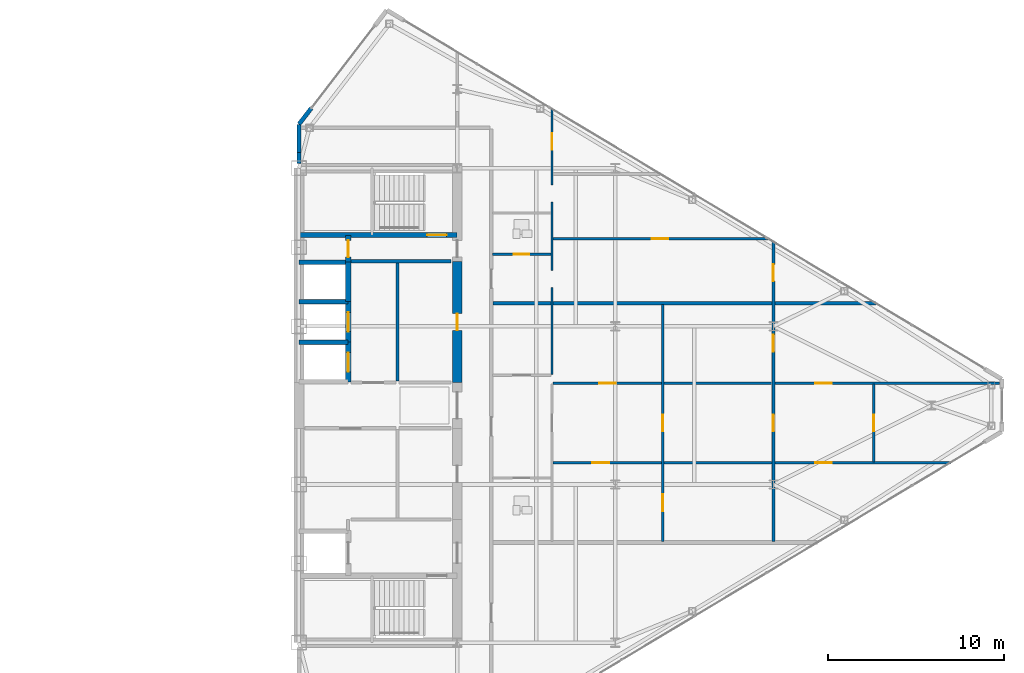
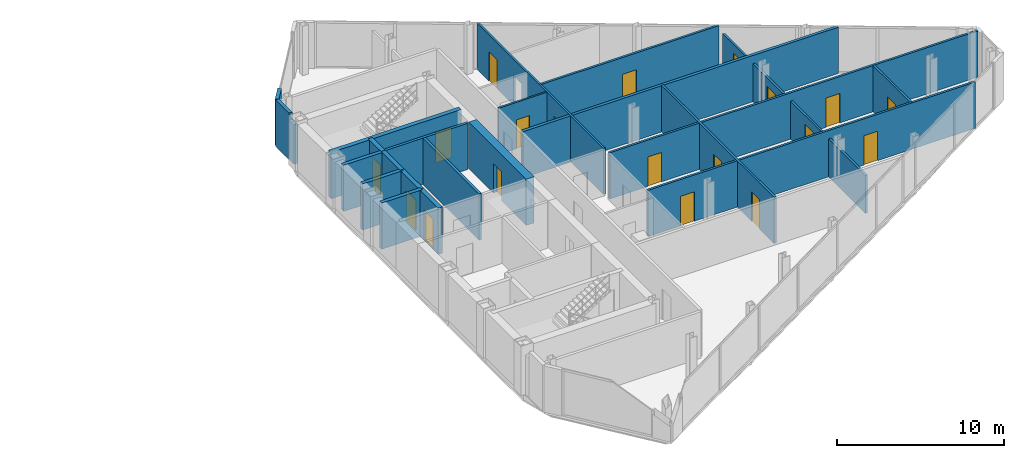
# One storey, part 22 of 26: 23 walls, 18 doors, 20 openings.
"""IFC4 building model written with IfcOpenShell, lengths in metres."""

from ifc_helpers import new_model, si_unit, direction, frame, frame_2d, origin, place, context, subcontext, project, spatial, rectangle, extrude, source, transform, mapped, material, layer, layer_set, type_object, type_shapes, element, fill, save


model = new_model("IFC4")

# Units and contexts
model_context = context("Model", 3, precision=1e-05, world=origin(), true_north=direction((0.0, 1.0)))
body_context = subcontext(model_context, "Body", "Model", "MODEL_VIEW")
ifc_project = project(units=[si_unit("LENGTHUNIT", "METRE"), si_unit("AREAUNIT", "SQUARE_METRE"), si_unit("VOLUMEUNIT", "CUBIC_METRE"), si_unit("PLANEANGLEUNIT", "RADIAN"), si_unit("MASSUNIT", "GRAM", prefix="KILO")], contexts=[model_context])

# Site, building, storey
site_placement = place(None, origin())
site = spatial("IfcSite", under=ifc_project, at=site_placement, CompositionType="ELEMENT")
building_placement = place(site_placement, origin())
building = spatial("IfcBuilding", under=site, at=building_placement, Name="Seokmaru Belvedere", CompositionType="ELEMENT")
storey_placement = place(building_placement, frame((0.0, 0.0, 199.5)))
storey = spatial("IfcBuildingStorey", under=building, at=storey_placement, Name="L53", CompositionType="ELEMENT", Elevation=199.5)

# Wall, openings, doors
ifc_material_1 = material(Name="Fire-Rated Gypsum Shaftwall")
ifc_layer_1 = layer(ifc_material_1, 0.14990234375)
ifc_layer_set_1 = layer_set([ifc_layer_1], Name="Fire-Rated Gypsum Shaftwall")
wall_type_1 = type_object("IfcWallType", Name="Apartment Fire-Acoustic Room Partition 150", PredefinedType="PARTITIONING", material=ifc_layer_set_1)
wall_1_placement = place(storey_placement, frame((41.949951171875, -3.27001953125, 0.0), z_axis=(0.0, 0.0, 1.0), x_axis=(1.0, 0.0, 0.0)))
wall_1 = element("IfcWall", 1, at=wall_1_placement, inside=storey, type_object=wall_type_1, Name="L53 Interior Partition 009", PredefinedType="PARTITIONING", context=body_context, shape_type="SweptSolid", body=[
    extrude(rectangle(XDim=22.64111328125, YDim=0.14990234375, at=frame_2d((11.320556640625, 0.0))), origin(), (0.0, 0.0, 1.0), 3.3798828125),
])
opening_1_placement = place(wall_1_placement, frame((2.251708984375, 0.0, 0.0)))
opening_1 = element("IfcOpeningElement", 2, at=opening_1_placement, cuts=wall_1, Name="Opening D05", PredefinedType="OPENING", context=body_context, shape_type="SweptSolid", body=[
    extrude(rectangle(XDim=0.949951171875, YDim=2.14990234375, at=frame_2d((0.47509765625, 1.074951171875))), frame((0.0, 0.0849609375, 0.0), z_axis=(0.0, -1.0, 0.0), x_axis=(1.0, 0.0, 0.0)), (0.0, 0.0, 1.0), 0.169921875),
])
opening_2_placement = place(wall_1_placement, frame((14.925048828125, 0.0, 0.0)))
opening_2 = element("IfcOpeningElement", 3, at=opening_2_placement, cuts=wall_1, Name="Opening D05", PredefinedType="OPENING", context=body_context, shape_type="SweptSolid", body=[
    extrude(rectangle(XDim=0.949951171875, YDim=2.14990234375, at=frame_2d((0.47509765625, 1.074951171875))), frame((0.0, 0.0849609375, 0.0), z_axis=(0.0, -1.0, 0.0), x_axis=(1.0, 0.0, 0.0)), (0.0, 0.0, 1.0), 0.169921875),
])
ifc_material_2 = material(Name="Engineered White Oak Timber", Category="wood")
door_type_1 = type_object("IfcDoorType", Name="Apartment Interior Fire-Rated Oak Door 950x2150", OperationType="NOTDEFINED", PredefinedType="DOOR", material=ifc_material_2)
shared_shape_1 = source(origin(), body_context, "Body", "SweptSolid", [
    extrude(rectangle(XDim=0.949951171875, YDim=2.14990234375, at=frame_2d((0.47509765625, 1.074951171875))), frame((0.0, 0.02490234375, 0.0), z_axis=(0.0, -1.0, 0.0), x_axis=(1.0, 0.0, 0.0)), (0.0, 0.0, 1.0), 0.050048828125),
])
type_shapes(door_type_1, [shared_shape_1])
door_1_placement = place(opening_1_placement, origin())
door_1 = element("IfcDoor", 4, at=door_1_placement, inside=storey, type_object=door_type_1, Name="L53 Interior Door 023", OperationType="SINGLE_SWING_RIGHT", OverallHeight=2.14990234375, OverallWidth=0.949951171875, PredefinedType="DOOR", context=body_context, shape_type="MappedRepresentation", body=[
    mapped(shared_shape_1, transform((0.0, 0.0, 0.0), scale=1.0)),
])
fill(opening_1, door_1)
door_2_placement = place(opening_2_placement, origin())
door_2 = element("IfcDoor", 5, at=door_2_placement, inside=storey, type_object=door_type_1, Name="L53 Interior Door 027", OperationType="SINGLE_SWING_RIGHT", OverallHeight=2.14990234375, OverallWidth=0.949951171875, PredefinedType="DOOR", context=body_context, shape_type="MappedRepresentation", body=[
    mapped(shared_shape_1, transform((0.0, 0.0, 0.0), scale=1.0)),
])
fill(opening_2, door_2)

wall_2_placement = place(storey_placement, frame((41.949951171875, 1.27001953125, 0.0), z_axis=(0.0, 0.0, 1.0), x_axis=(1.0, 0.0, 0.0)))
wall_2 = element("IfcWall", 6, at=wall_2_placement, inside=storey, type_object=wall_type_1, Name="L53 Interior Partition 012", PredefinedType="PARTITIONING", context=body_context, shape_type="SweptSolid", body=[
    extrude(rectangle(XDim=25.425048828125, YDim=0.14990234375, at=frame_2d((12.71240234375, 0.0))), origin(), (0.0, 0.0, 1.0), 3.3798828125),
])
opening_3_placement = place(wall_2_placement, frame((2.625, 0.0, 0.0)))
opening_3 = element("IfcOpeningElement", 7, at=opening_3_placement, cuts=wall_2, Name="Opening D05", PredefinedType="OPENING", context=body_context, shape_type="SweptSolid", body=[
    extrude(rectangle(XDim=0.949951171875, YDim=2.14990234375, at=frame_2d((0.47509765625, 1.074951171875))), frame((0.0, 0.0849609375, 0.0), z_axis=(0.0, -1.0, 0.0), x_axis=(1.0, 0.0, 0.0)), (0.0, 0.0, 1.0), 0.169921875),
])
opening_4_placement = place(wall_2_placement, frame((14.925048828125, 0.0, 0.0)))
opening_4 = element("IfcOpeningElement", 8, at=opening_4_placement, cuts=wall_2, Name="Opening D05", PredefinedType="OPENING", context=body_context, shape_type="SweptSolid", body=[
    extrude(rectangle(XDim=0.949951171875, YDim=2.14990234375, at=frame_2d((0.47509765625, 1.074951171875))), frame((0.0, 0.0849609375, 0.0), z_axis=(0.0, -1.0, 0.0), x_axis=(1.0, 0.0, 0.0)), (0.0, 0.0, 1.0), 0.169921875),
])
door_3_placement = place(opening_3_placement, origin())
door_3 = element("IfcDoor", 9, at=door_3_placement, inside=storey, type_object=door_type_1, Name="L53 Interior Door 025", OperationType="SINGLE_SWING_LEFT", OverallHeight=2.14990234375, OverallWidth=0.949951171875, PredefinedType="DOOR", context=body_context, shape_type="MappedRepresentation", body=[
    mapped(shared_shape_1, transform((0.0, 0.0, 0.0), scale=1.0)),
])
fill(opening_3, door_3)
door_4_placement = place(opening_4_placement, origin())
door_4 = element("IfcDoor", 10, at=door_4_placement, inside=storey, type_object=door_type_1, Name="L53 Interior Door 029", OperationType="SINGLE_SWING_LEFT", OverallHeight=2.14990234375, OverallWidth=0.949951171875, PredefinedType="DOOR", context=body_context, shape_type="MappedRepresentation", body=[
    mapped(shared_shape_1, transform((0.0, 0.0, 0.0), scale=1.0)),
])
fill(opening_4, door_4)

# Wall, opening, door
wall_3_placement = place(storey_placement, frame((41.949951171875, 9.489990234375, 0.0), z_axis=(0.0, 0.0, 1.0), x_axis=(1.0, 0.0, 0.0)))
wall_3 = element("IfcWall", 11, at=wall_3_placement, inside=storey, type_object=wall_type_1, Name="L53 Interior Partition 019", PredefinedType="PARTITIONING", context=body_context, shape_type="SweptSolid", body=[
    extrude(rectangle(XDim=12.274169921875, YDim=0.14990234375, at=frame_2d((6.13720703125, 0.0))), origin(), (0.0, 0.0, 1.0), 3.3798828125),
])
opening_5_placement = place(wall_3_placement, frame((5.619384765625, 0.0, 0.0)))
opening_5 = element("IfcOpeningElement", 12, at=opening_5_placement, cuts=wall_3, Name="Opening D05", PredefinedType="OPENING", context=body_context, shape_type="SweptSolid", body=[
    extrude(rectangle(XDim=0.949951171875, YDim=2.14990234375, at=frame_2d((0.47509765625, 1.074951171875))), frame((0.0, 0.0849609375, 0.0), z_axis=(0.0, -1.0, 0.0), x_axis=(1.0, 0.0, 0.0)), (0.0, 0.0, 1.0), 0.169921875),
])
door_5_placement = place(opening_5_placement, origin())
door_5 = element("IfcDoor", 13, at=door_5_placement, inside=storey, type_object=door_type_1, Name="L53 Interior Door 036", OperationType="SINGLE_SWING_RIGHT", OverallHeight=2.14990234375, OverallWidth=0.949951171875, PredefinedType="DOOR", context=body_context, shape_type="MappedRepresentation", body=[
    mapped(shared_shape_1, transform((0.0, 0.0, 0.0), scale=1.0)),
])
fill(opening_5, door_5)

# Wall, openings, doors
wall_4_placement = place(storey_placement, frame((48.199951171875, -7.75, 0.0), z_axis=(0.0, 0.0, 1.0), x_axis=(0.0, 1.0, 0.0)))
wall_4 = element("IfcWall", 14, at=wall_4_placement, inside=storey, type_object=wall_type_1, Name="L53 Interior Partition 035", PredefinedType="PARTITIONING", context=body_context, shape_type="SweptSolid", body=[
    extrude(rectangle(XDim=13.5, YDim=0.14990234375, at=frame_2d((6.75, 0.0))), origin(), (0.0, 0.0, 1.0), 3.3798828125),
])
opening_6_placement = place(wall_4_placement, frame((6.27490234375, 0.0, 0.0)))
opening_6 = element("IfcOpeningElement", 15, at=opening_6_placement, cuts=wall_4, Name="Opening D05", PredefinedType="OPENING", context=body_context, shape_type="SweptSolid", body=[
    extrude(rectangle(XDim=0.949951171875, YDim=2.14990234375, at=frame_2d((0.47509765625, 1.074951171875))), frame((0.0, 0.0849609375, 0.0), z_axis=(0.0, -1.0, 0.0), x_axis=(1.0, 0.0, 0.0)), (0.0, 0.0, 1.0), 0.169921875),
])
opening_7_placement = place(wall_4_placement, frame((1.74169921875, 0.0, 0.0)))
opening_7 = element("IfcOpeningElement", 16, at=opening_7_placement, cuts=wall_4, Name="Opening D05", PredefinedType="OPENING", context=body_context, shape_type="SweptSolid", body=[
    extrude(rectangle(XDim=0.949951171875, YDim=2.14990234375, at=frame_2d((0.47509765625, 1.074951171875))), frame((0.0, 0.0849609375, 0.0), z_axis=(0.0, -1.0, 0.0), x_axis=(1.0, 0.0, 0.0)), (0.0, 0.0, 1.0), 0.169921875),
])
door_6_placement = place(opening_6_placement, origin())
door_6 = element("IfcDoor", 17, at=door_6_placement, inside=storey, type_object=door_type_1, Name="L53 Interior Door 024", OperationType="SINGLE_SWING_LEFT", OverallHeight=2.14990234375, OverallWidth=0.949951171875, PredefinedType="DOOR", context=body_context, shape_type="MappedRepresentation", body=[
    mapped(shared_shape_1, transform((0.0, 0.0, 0.0), scale=1.0)),
])
fill(opening_6, door_6)
door_7_placement = place(opening_7_placement, origin())
door_7 = element("IfcDoor", 18, at=door_7_placement, inside=storey, type_object=door_type_1, Name="L53 Interior Door 030", OperationType="SINGLE_SWING_LEFT", OverallHeight=2.14990234375, OverallWidth=0.949951171875, PredefinedType="DOOR", context=body_context, shape_type="MappedRepresentation", body=[
    mapped(shared_shape_1, transform((0.0, 0.0, 0.0), scale=1.0)),
])
fill(opening_7, door_7)

wall_5_placement = place(storey_placement, frame((54.5, -7.75, 0.0), z_axis=(0.0, 0.0, 1.0), x_axis=(0.0, 1.0, 0.0)))
wall_5 = element("IfcWall", 19, at=wall_5_placement, inside=storey, type_object=wall_type_1, Name="L53 Interior Partition 036", PredefinedType="PARTITIONING", context=body_context, shape_type="SweptSolid", body=[
    extrude(rectangle(XDim=17.0849609375, YDim=0.14990234375, at=frame_2d((8.54248046875, 0.0))), origin(), (0.0, 0.0, 1.0), 2.780029296875),
])
opening_8_placement = place(wall_5_placement, frame((6.27490234375, 0.0, 0.0)))
opening_8 = element("IfcOpeningElement", 20, at=opening_8_placement, cuts=wall_5, Name="Opening D05", PredefinedType="OPENING", context=body_context, shape_type="SweptSolid", body=[
    extrude(rectangle(XDim=0.949951171875, YDim=2.14990234375, at=frame_2d((0.47509765625, 1.074951171875))), frame((0.0, 0.0849609375, 0.0), z_axis=(0.0, -1.0, 0.0), x_axis=(1.0, 0.0, 0.0)), (0.0, 0.0, 1.0), 0.169921875),
])
opening_9_placement = place(wall_5_placement, frame((10.808349609375, 0.0, 0.0)))
opening_9 = element("IfcOpeningElement", 21, at=opening_9_placement, cuts=wall_5, Name="Opening D05", PredefinedType="OPENING", context=body_context, shape_type="SweptSolid", body=[
    extrude(rectangle(XDim=0.949951171875, YDim=2.14990234375, at=frame_2d((0.47509765625, 1.074951171875))), frame((0.0, 0.0849609375, 0.0), z_axis=(0.0, -1.0, 0.0), x_axis=(1.0, 0.0, 0.0)), (0.0, 0.0, 1.0), 0.169921875),
])
opening_10_placement = place(wall_5_placement, frame((14.824951171875, 0.0, 0.0)))
opening_10 = element("IfcOpeningElement", 22, at=opening_10_placement, cuts=wall_5, Name="Opening D05", PredefinedType="OPENING", context=body_context, shape_type="SweptSolid", body=[
    extrude(rectangle(XDim=0.949951171875, YDim=2.14990234375, at=frame_2d((0.47509765625, 1.074951171875))), frame((0.0, 0.0849609375, 0.0), z_axis=(0.0, -1.0, 0.0), x_axis=(1.0, 0.0, 0.0)), (0.0, 0.0, 1.0), 0.169921875),
])
door_8_placement = place(opening_8_placement, origin())
door_8 = element("IfcDoor", 23, at=door_8_placement, inside=storey, type_object=door_type_1, Name="L53 Interior Door 026", OperationType="SINGLE_SWING_RIGHT", OverallHeight=2.14990234375, OverallWidth=0.949951171875, PredefinedType="DOOR", context=body_context, shape_type="MappedRepresentation", body=[
    mapped(shared_shape_1, transform((0.0, 0.0, 0.0), scale=1.0)),
])
fill(opening_8, door_8)
door_9_placement = place(opening_9_placement, origin())
door_9 = element("IfcDoor", 24, at=door_9_placement, inside=storey, type_object=door_type_1, Name="L53 Interior Door 031", OperationType="SINGLE_SWING_RIGHT", OverallHeight=2.14990234375, OverallWidth=0.949951171875, PredefinedType="DOOR", context=body_context, shape_type="MappedRepresentation", body=[
    mapped(shared_shape_1, transform((0.0, 0.0, 0.0), scale=1.0)),
])
fill(opening_9, door_9)
door_10_placement = place(opening_10_placement, origin())
door_10 = element("IfcDoor", 25, at=door_10_placement, inside=storey, type_object=door_type_1, Name="L53 Interior Door 035", OperationType="SINGLE_SWING_LEFT", OverallHeight=2.14990234375, OverallWidth=0.949951171875, PredefinedType="DOOR", context=body_context, shape_type="MappedRepresentation", body=[
    mapped(shared_shape_1, transform((0.0, 0.0, 0.0), scale=1.0)),
])
fill(opening_10, door_10)

# Wall, opening, door
wall_6_placement = place(storey_placement, frame((60.199951171875, -3.217041015625, 0.0), z_axis=(0.0, 0.0, 1.0), x_axis=(0.0, 1.0, 0.0)))
wall_6 = element("IfcWall", 26, at=wall_6_placement, inside=storey, type_object=wall_type_1, Name="L53 Interior Partition 037", PredefinedType="PARTITIONING", context=body_context, shape_type="SweptSolid", body=[
    extrude(rectangle(XDim=4.43408203125, YDim=0.14990234375, at=frame_2d((2.217041015625, 0.0))), origin(), (0.0, 0.0, 1.0), 3.3798828125),
])
opening_11_placement = place(wall_6_placement, frame((1.741943359375, 0.0, 0.0)))
opening_11 = element("IfcOpeningElement", 27, at=opening_11_placement, cuts=wall_6, Name="Opening D05", PredefinedType="OPENING", context=body_context, shape_type="SweptSolid", body=[
    extrude(rectangle(XDim=0.949951171875, YDim=2.14990234375, at=frame_2d((0.47509765625, 1.074951171875))), frame((0.0, 0.0849609375, 0.0), z_axis=(0.0, -1.0, 0.0), x_axis=(1.0, 0.0, 0.0)), (0.0, 0.0, 1.0), 0.169921875),
])
door_11_placement = place(opening_11_placement, origin())
door_11 = element("IfcDoor", 28, at=door_11_placement, inside=storey, type_object=door_type_1, Name="L53 Interior Door 028", OperationType="SINGLE_SWING_LEFT", OverallHeight=2.14990234375, OverallWidth=0.949951171875, PredefinedType="DOOR", context=body_context, shape_type="MappedRepresentation", body=[
    mapped(shared_shape_1, transform((0.0, 0.0, 0.0), scale=1.0)),
])
fill(opening_11, door_11)

# Walls
ifc_layer_2 = layer(ifc_material_1, 0.179931640625)
ifc_layer_set_2 = layer_set([ifc_layer_2], Name="Fire-Rated Gypsum Shaftwall")
wall_type_2 = type_object("IfcWallType", Name="Core Service Fire Partition 180", PredefinedType="PARTITIONING", material=ifc_layer_set_2)
wall_7_placement = place(storey_placement, frame((30.449951171875, 8.199951171875, 0.0), z_axis=(0.0, 0.0, 1.0), x_axis=(1.0, 0.0, 0.0)))
element("IfcWall", 29, at=wall_7_placement, inside=storey, type_object=wall_type_2, Name="L53 East Smokeproof Vestibule Partition", PredefinedType="PARTITIONING", context=body_context, shape_type="SweptSolid", body=[
    extrude(rectangle(XDim=5.699951171875, YDim=0.179931640625, at=frame_2d((2.85009765625, 0.0))), origin(), (0.0, 0.0, 1.0), 3.3798828125),
])
wall_8_placement = place(storey_placement, frame((33.10009765625, 1.3798828125, 0.0), z_axis=(0.0, 0.0, 1.0), x_axis=(0.0, 1.0, 0.0)))
element("IfcWall", 30, at=wall_8_placement, inside=storey, type_object=wall_type_2, Name="L53 East North Core Service Back Wall", PredefinedType="PARTITIONING", context=body_context, shape_type="SweptSolid", body=[
    extrude(rectangle(XDim=6.740234375, YDim=0.179931640625, at=frame_2d((3.3701171875, 0.0))), origin(), (0.0, 0.0, 1.0), 3.3798828125),
])
ifc_material_3 = material(Name="Concrete C50 (50 MPa)", Category="concrete")
ifc_layer_3 = layer(ifc_material_3, 0.25)
ifc_layer_set_3 = layer_set([ifc_layer_3], Name="Concrete C50 (50 MPa)")
wall_type_3 = type_object("IfcWallType", Name="Hoistway Transverse Concrete Divider Wall 250", PredefinedType="SHEAR", material=ifc_layer_set_3)
for number, where, z_axis, x_axis, name in (
    (31, (27.5, 3.60009765625, 0.0), (0.0, 0.0, 1.0), (1.0, 0.0, 0.0), "L53 East Hoistway Divider Core Wall 3"),
    (32, (27.5, 5.89990234375, 0.0), (0.0, 0.0, 1.0), (1.0, 0.0, 0.0), "L53 East Hoistway Divider Core Wall 4"),
    (33, (27.5, 8.14990234375, 0.0), (0.0, 0.0, 1.0), (1.0, 0.0, 0.0), "L53 East Hoistway Divider Core Wall 5"),
):
    element("IfcWall", number, at=place(storey_placement, frame(where, z_axis=z_axis, x_axis=x_axis)), inside=storey, type_object=wall_type_3, Name=name, PredefinedType="SHEAR", context=body_context, shape_type="SweptSolid", body=[
        extrude(rectangle(XDim=2.800048828125, YDim=0.25, at=frame_2d((1.39990234375, 0.0))), origin(), (0.0, 0.0, 1.0), 3.3798828125),
    ])
ifc_layer_4 = layer(ifc_material_1, 0.199951171875)
ifc_layer_set_4 = layer_set([ifc_layer_4], Name="Fire-Rated Gypsum Shaftwall")
wall_type_4 = type_object("IfcWallType", Name="Inter-Tenancy Fire Compartment Partition 200", PredefinedType="PARTITIONING", material=ifc_layer_set_4)
wall_9_placement = place(storey_placement, frame((38.530029296875, 5.800048828125, 0.0), z_axis=(0.0, 0.0, 1.0), x_axis=(1.0, 0.0, 0.0)))
element("IfcWall", 34, at=wall_9_placement, inside=storey, type_object=wall_type_4, Name="L53 Interior Partition 016", PredefinedType="PARTITIONING", context=body_context, shape_type="SweptSolid", body=[
    extrude(rectangle(XDim=21.81298828125, YDim=0.199951171875, at=frame_2d((10.906494140625, 0.0))), origin(), (0.0, 0.0, 1.0), 3.3798828125),
])

# Wall, opening, door
ifc_layer_5 = layer(ifc_material_3, 0.300048828125)
ifc_layer_set_5 = layer_set([ifc_layer_5], Name="Concrete C50 (50 MPa)")
wall_type_5 = type_object("IfcWallType", Name="Internal Core Stair and Hoistway Wall 300", PredefinedType="SHEAR", material=ifc_layer_set_5)
wall_10_placement = place(storey_placement, frame((27.5, 9.699951171875, 0.0), z_axis=(0.0, 0.0, 1.0), x_axis=(1.0, 0.0, 0.0)))
wall_10 = element("IfcWall", 35, at=wall_10_placement, inside=storey, type_object=wall_type_5, Name="L53 East Stair ST-2 Enclosure Wall", PredefinedType="SHEAR", context=body_context, shape_type="SweptSolid", body=[
    extrude(rectangle(XDim=9.0, YDim=0.300048828125, at=frame_2d((4.5, 0.0))), origin(), (0.0, 0.0, 1.0), 3.3798828125),
])
opening_12_placement = place(wall_10_placement, frame((7.300048828125, 0.0, 0.0)))
opening_12 = element("IfcOpeningElement", 36, at=opening_12_placement, cuts=wall_10, Name="Opening D01", PredefinedType="OPENING", context=body_context, shape_type="SweptSolid", body=[
    extrude(rectangle(XDim=1.10009765625, YDim=2.199951171875, at=frame_2d((0.550048828125, 1.10009765625))), frame((0.0, 0.16015625, 0.0), z_axis=(0.0, -1.0, 0.0), x_axis=(1.0, 0.0, 0.0)), (0.0, 0.0, 1.0), 0.320068359375),
])
ifc_material_4 = material(Name="Fire-Rated Steel Leaf", Category="steel")
door_type_2 = type_object("IfcDoorType", Name="Special Escape Stair Smokeproof Fire Door 1100x2200", OperationType="NOTDEFINED", PredefinedType="DOOR", material=ifc_material_4)
shared_shape_2 = source(origin(), body_context, "Body", "SweptSolid", [
    extrude(rectangle(XDim=1.10009765625, YDim=2.199951171875, at=frame_2d((0.550048828125, 1.10009765625))), frame((0.0, 0.02490234375, 0.0), z_axis=(0.0, -1.0, 0.0), x_axis=(1.0, 0.0, 0.0)), (0.0, 0.0, 1.0), 0.050048828125),
])
type_shapes(door_type_2, [shared_shape_2])
door_12_placement = place(opening_12_placement, origin())
door_12 = element("IfcDoor", 37, at=door_12_placement, inside=storey, type_object=door_type_2, Name="L53 East Special Escape Stair ST-2 Door", OperationType="SINGLE_SWING_LEFT", OverallHeight=2.199951171875, OverallWidth=1.10009765625, PredefinedType="DOOR", context=body_context, shape_type="MappedRepresentation", body=[
    mapped(shared_shape_2, transform((0.0, 0.0, 0.0), scale=1.0)),
])
fill(opening_12, door_12)

wall_11_placement = place(storey_placement, frame((30.300048828125, 1.320068359375, 0.0), z_axis=(0.0, 0.0, 1.0), x_axis=(0.0, 1.0, 0.0)))
wall_11 = element("IfcWall", 38, at=wall_11_placement, inside=storey, type_object=wall_type_5, Name="L53 East North Hoistway Wall PH1", PredefinedType="SHEAR", context=body_context, shape_type="SweptSolid", body=[
    extrude(rectangle(XDim=2.280029296875, YDim=0.300048828125, at=frame_2d((1.14013671875, 0.0))), origin(), (0.0, 0.0, 1.0), 3.3798828125),
])
opening_13_placement = place(wall_11_placement, frame((0.590087890625, 0.0, 0.0)))
opening_13 = element("IfcOpeningElement", 39, at=opening_13_placement, cuts=wall_11, Name="Opening LD1", PredefinedType="OPENING", context=body_context, shape_type="SweptSolid", body=[
    extrude(rectangle(XDim=1.10009765625, YDim=2.199951171875, at=frame_2d((0.550048828125, 1.10009765625))), frame((0.0, 0.16015625, 0.0), z_axis=(0.0, -1.0, 0.0), x_axis=(1.0, 0.0, 0.0)), (0.0, 0.0, 1.0), 0.320068359375),
])
ifc_material_5 = material(Name="Stainless Steel 316", Category="steel")
door_type_3 = type_object("IfcDoorType", Name="Passenger Lift Sliding Landing Door 1100x2200", OperationType="DOUBLE_DOOR_SLIDING", PredefinedType="DOOR", material=ifc_material_5)
shared_shape_3 = source(origin(), body_context, "Body", "SweptSolid", [
    extrude(rectangle(XDim=1.10009765625, YDim=2.199951171875, at=frame_2d((0.550048828125, 1.10009765625))), frame((0.0, 0.02490234375, 0.0), z_axis=(0.0, -1.0, 0.0), x_axis=(1.0, 0.0, 0.0)), (0.0, 0.0, 1.0), 0.050048828125),
])
type_shapes(door_type_3, [shared_shape_3])
door_13_placement = place(opening_13_placement, origin())
door_13 = element("IfcDoor", 40, at=door_13_placement, inside=storey, type_object=door_type_3, Name="L53 East High-Rise Lift PH-1 Landing Door", OperationType="DOUBLE_DOOR_SLIDING", OverallHeight=2.199951171875, OverallWidth=1.10009765625, PredefinedType="DOOR", context=body_context, shape_type="MappedRepresentation", body=[
    mapped(shared_shape_3, transform((0.0, 0.0, 0.0), scale=1.0)),
])
fill(opening_13, door_13)

wall_12_placement = place(storey_placement, frame((30.300048828125, 3.60009765625, 0.0), z_axis=(0.0, 0.0, 1.0), x_axis=(0.0, 1.0, 0.0)))
wall_12 = element("IfcWall", 41, at=wall_12_placement, inside=storey, type_object=wall_type_5, Name="L53 East North Hoistway Wall PH2", PredefinedType="SHEAR", context=body_context, shape_type="SweptSolid", body=[
    extrude(rectangle(XDim=2.2998046875, YDim=0.300048828125, at=frame_2d((1.14990234375, 0.0))), origin(), (0.0, 0.0, 1.0), 3.3798828125),
])
opening_14_placement = place(wall_12_placement, frame((0.60009765625, 0.0, 0.0)))
opening_14 = element("IfcOpeningElement", 42, at=opening_14_placement, cuts=wall_12, Name="Opening LD1", PredefinedType="OPENING", context=body_context, shape_type="SweptSolid", body=[
    extrude(rectangle(XDim=1.10009765625, YDim=2.199951171875, at=frame_2d((0.550048828125, 1.10009765625))), frame((0.0, 0.16015625, 0.0), z_axis=(0.0, -1.0, 0.0), x_axis=(1.0, 0.0, 0.0)), (0.0, 0.0, 1.0), 0.320068359375),
])
door_14_placement = place(opening_14_placement, origin())
door_14 = element("IfcDoor", 43, at=door_14_placement, inside=storey, type_object=door_type_3, Name="L53 East High-Rise Lift PH-2 Landing Door", OperationType="DOUBLE_DOOR_SLIDING", OverallHeight=2.199951171875, OverallWidth=1.10009765625, PredefinedType="DOOR", context=body_context, shape_type="MappedRepresentation", body=[
    mapped(shared_shape_3, transform((0.0, 0.0, 0.0), scale=1.0)),
])
fill(opening_14, door_14)

# Wall
wall_13_placement = place(storey_placement, frame((30.300048828125, 5.89990234375, 0.0), z_axis=(0.0, 0.0, 1.0), x_axis=(0.0, 1.0, 0.0)))
element("IfcWall", 44, at=wall_13_placement, inside=storey, type_object=wall_type_5, Name="L53 East North Hoistway Wall OBS", PredefinedType="SHEAR", context=body_context, shape_type="SweptSolid", body=[
    extrude(rectangle(XDim=2.25, YDim=0.300048828125, at=frame_2d((1.125, 0.0))), origin(), (0.0, 0.0, 1.0), 3.3798828125),
])

# Wall, opening, door
wall_14_placement = place(storey_placement, frame((30.300048828125, 8.14990234375, 0.0), z_axis=(0.0, 0.0, 1.0), x_axis=(0.0, 1.0, 0.0)))
wall_14 = element("IfcWall", 45, at=wall_14_placement, inside=storey, type_object=wall_type_5, Name="L53 East Electrical Riser Front Wall", PredefinedType="SHEAR", context=body_context, shape_type="SweptSolid", body=[
    extrude(rectangle(XDim=1.530029296875, YDim=0.300048828125, at=frame_2d((0.76513671875, 0.0))), origin(), (0.0, 0.0, 1.0), 3.3798828125),
])
opening_15_placement = place(wall_14_placement, frame((0.284912109375, 0.0, 0.0)))
opening_15 = element("IfcOpeningElement", 46, at=opening_15_placement, cuts=wall_14, Name="Opening D04", PredefinedType="OPENING", context=body_context, shape_type="SweptSolid", body=[
    extrude(rectangle(XDim=0.949951171875, YDim=2.14990234375, at=frame_2d((0.47509765625, 1.074951171875))), frame((0.0, 0.16015625, 0.0), z_axis=(0.0, -1.0, 0.0), x_axis=(1.0, 0.0, 0.0)), (0.0, 0.0, 1.0), 0.320068359375),
])
door_type_4 = type_object("IfcDoorType", Name="Core Service Room Fire Door 950x2150", OperationType="NOTDEFINED", PredefinedType="DOOR", material=ifc_material_4)
shared_shape_4 = source(origin(), body_context, "Body", "SweptSolid", [
    extrude(rectangle(XDim=0.949951171875, YDim=2.14990234375, at=frame_2d((0.47509765625, 1.074951171875))), frame((0.0, 0.02490234375, 0.0), z_axis=(0.0, -1.0, 0.0), x_axis=(1.0, 0.0, 0.0)), (0.0, 0.0, 1.0), 0.050048828125),
])
type_shapes(door_type_4, [shared_shape_4])
door_15_placement = place(opening_15_placement, origin())
door_15 = element("IfcDoor", 47, at=door_15_placement, inside=storey, type_object=door_type_4, Name="L53 East Electrical Riser Access Door", OperationType="SINGLE_SWING_RIGHT", OverallHeight=2.14990234375, OverallWidth=0.949951171875, PredefinedType="DOOR", context=body_context, shape_type="MappedRepresentation", body=[
    mapped(shared_shape_4, transform((0.0, 0.0, 0.0), scale=1.0)),
])
fill(opening_15, door_15)

ifc_layer_6 = layer(ifc_material_3, 0.550048828125)
ifc_layer_set_6 = layer_set([ifc_layer_6], Name="Concrete C50 (50 MPa)")
wall_type_6 = type_object("IfcWallType", Name="Mid-High Reinforced Concrete Core Wall 550", PredefinedType="SHEAR", material=ifc_layer_set_6)
wall_15_placement = place(storey_placement, frame((36.5, 1.300048828125, 0.0), z_axis=(0.0, 0.0, 1.0), x_axis=(0.0, 1.0, 0.0)))
wall_15 = element("IfcWall", 48, at=wall_15_placement, inside=storey, type_object=wall_type_6, Name="L53 East West Core Wall CS2", PredefinedType="SHEAR", context=body_context, shape_type="SweptSolid", body=[
    extrude(rectangle(XDim=6.89990234375, YDim=0.550048828125, at=frame_2d((3.449951171875, 0.0))), origin(), (0.0, 0.0, 1.0), 3.3798828125),
])
opening_16_placement = place(wall_15_placement, frame((2.97509765625, 0.0, 0.0)))
opening_16 = element("IfcOpeningElement", 49, at=opening_16_placement, cuts=wall_15, Name="Opening D04", PredefinedType="OPENING", context=body_context, shape_type="SweptSolid", body=[
    extrude(rectangle(XDim=0.949951171875, YDim=2.14990234375, at=frame_2d((0.47509765625, 1.074951171875))), frame((0.0, 0.28515625, 0.0), z_axis=(0.0, -1.0, 0.0), x_axis=(1.0, 0.0, 0.0)), (0.0, 0.0, 1.0), 0.570068359375),
])
door_16_placement = place(opening_16_placement, origin())
door_16 = element("IfcDoor", 50, at=door_16_placement, inside=storey, type_object=door_type_4, Name="L53 East Core Service Room Door 2", OperationType="SINGLE_SWING_LEFT", OverallHeight=2.14990234375, OverallWidth=0.949951171875, PredefinedType="DOOR", context=body_context, shape_type="MappedRepresentation", body=[
    mapped(shared_shape_4, transform((0.0, 0.0, 0.0), scale=1.0)),
])
fill(opening_16, door_16)

ifc_layer_7 = layer(ifc_material_1, 0.1298828125)
ifc_layer_set_7 = layer_set([ifc_layer_7], Name="Fire-Rated Gypsum Shaftwall")
wall_type_7 = type_object("IfcWallType", Name="Moisture-Resistant Fire-Rated Bathroom Partition 130", PredefinedType="PARTITIONING", material=ifc_layer_set_7)
wall_16_placement = place(storey_placement, frame((38.5, 8.60009765625, 0.0), z_axis=(0.0, 0.0, 1.0), x_axis=(1.0, 0.0, 0.0)))
wall_16 = element("IfcWall", 51, at=wall_16_placement, inside=storey, type_object=wall_type_7, Name="L53 Interior Partition 018", PredefinedType="PARTITIONING", context=body_context, shape_type="SweptSolid", body=[
    extrude(rectangle(XDim=3.35009765625, YDim=0.1298828125, at=frame_2d((1.675048828125, 0.0))), origin(), (0.0, 0.0, 1.0), 3.3798828125),
])
opening_17_placement = place(wall_16_placement, frame((1.235107421875, 0.0, 0.0)))
opening_17 = element("IfcOpeningElement", 52, at=opening_17_placement, cuts=wall_16, Name="Opening D06", PredefinedType="OPENING", context=body_context, shape_type="SweptSolid", body=[
    extrude(rectangle(XDim=0.8798828125, YDim=2.10009765625, at=frame_2d((0.43994140625, 1.050048828125))), frame((0.0, 0.074951171875, 0.0), z_axis=(0.0, -1.0, 0.0), x_axis=(1.0, 0.0, 0.0)), (0.0, 0.0, 1.0), 0.14990234375),
])
door_type_5 = type_object("IfcDoorType", Name="Bathroom and Restroom Fire-Rated Door 880x2100", OperationType="NOTDEFINED", PredefinedType="DOOR", material=ifc_material_2)
shared_shape_5 = source(origin(), body_context, "Body", "SweptSolid", [
    extrude(rectangle(XDim=0.8798828125, YDim=2.10009765625, at=frame_2d((0.43994140625, 1.050048828125))), frame((0.0, 0.02490234375, 0.0), z_axis=(0.0, -1.0, 0.0), x_axis=(1.0, 0.0, 0.0)), (0.0, 0.0, 1.0), 0.050048828125),
])
type_shapes(door_type_5, [shared_shape_5])
door_17_placement = place(opening_17_placement, origin())
door_17 = element("IfcDoor", 53, at=door_17_placement, inside=storey, type_object=door_type_5, Name="L53 Interior Door 033", OperationType="SINGLE_SWING_RIGHT", OverallHeight=2.10009765625, OverallWidth=0.8798828125, PredefinedType="DOOR", context=body_context, shape_type="MappedRepresentation", body=[
    mapped(shared_shape_5, transform((0.0, 0.0, 0.0), scale=1.0)),
])
fill(opening_17, door_17)

# Wall, openings, door
wall_17_placement = place(storey_placement, frame((41.89990234375, 1.77197265625, 0.0), z_axis=(0.0, 0.0, 1.0), x_axis=(0.0, 1.0, 0.0)))
wall_17 = element("IfcWall", 54, at=wall_17_placement, inside=storey, type_object=wall_type_7, Name="L53 Interior Partition 034", PredefinedType="PARTITIONING", context=body_context, shape_type="SweptSolid", body=[
    extrude(rectangle(XDim=15.123046875, YDim=0.1298828125, at=frame_2d((7.5615234375, 0.0))), origin(), (0.0, 0.0, 1.0), 3.3798828125),
])
opening_18_placement = place(wall_17_placement, frame((4.950439453125, 0.0, 0.0)))
element("IfcOpeningElement", 55, at=opening_18_placement, cuts=wall_17, Name="L53 Cased Opening 034", PredefinedType="OPENING", context=body_context, shape_type="SweptSolid", body=[
    extrude(rectangle(XDim=0.949951171875, YDim=2.14990234375, at=frame_2d((0.47509765625, 1.074951171875))), frame((0.0, 0.074951171875, 0.0), z_axis=(0.0, -1.0, 0.0), x_axis=(1.0, 0.0, 0.0)), (0.0, 0.0, 1.0), 0.14990234375),
])
opening_19_placement = place(wall_17_placement, frame((9.81201171875, 0.0, 0.0)))
element("IfcOpeningElement", 56, at=opening_19_placement, cuts=wall_17, Name="L53 Cased Opening 037", PredefinedType="OPENING", context=body_context, shape_type="SweptSolid", body=[
    extrude(rectangle(XDim=0.949951171875, YDim=2.14990234375, at=frame_2d((0.47509765625, 1.074951171875))), frame((0.0, 0.074951171875, 0.0), z_axis=(0.0, -1.0, 0.0), x_axis=(1.0, 0.0, 0.0)), (0.0, 0.0, 1.0), 0.14990234375),
])
opening_20_placement = place(wall_17_placement, frame((12.769775390625, 0.0, 0.0)))
opening_20 = element("IfcOpeningElement", 57, at=opening_20_placement, cuts=wall_17, Name="Opening D05", PredefinedType="OPENING", context=body_context, shape_type="SweptSolid", body=[
    extrude(rectangle(XDim=0.949951171875, YDim=2.14990234375, at=frame_2d((0.47509765625, 1.074951171875))), frame((0.0, 0.074951171875, 0.0), z_axis=(0.0, -1.0, 0.0), x_axis=(1.0, 0.0, 0.0)), (0.0, 0.0, 1.0), 0.14990234375),
])
door_18_placement = place(opening_20_placement, origin())
door_18 = element("IfcDoor", 58, at=door_18_placement, inside=storey, type_object=door_type_1, Name="L53 Interior Door 038", OperationType="SINGLE_SWING_RIGHT", OverallHeight=2.14990234375, OverallWidth=0.949951171875, PredefinedType="DOOR", context=body_context, shape_type="MappedRepresentation", body=[
    mapped(shared_shape_1, transform((0.0, 0.0, 0.0), scale=1.0)),
])
fill(opening_20, door_18)

# Walls
ifc_material_6 = material(Name="Anodised Bronze Aluminium", Category="aluminium")
ifc_layer_8 = layer(ifc_material_6, 0.239990234375)
ifc_layer_set_8 = layer_set([ifc_layer_8], Name="Anodised Bronze Aluminium")
wall_type_8 = type_object("IfcWallType", Name="Tower Corner Spandrel Closure Wall 240", PredefinedType="SOLIDWALL", material=ifc_layer_set_8)
wall_18_placement = place(storey_placement, frame((28.201171875, 16.91162109375, 0.0), z_axis=(0.0, 0.0, 1.0), x_axis=(-0.609617623633, -0.792695624408, 0.0)))
element("IfcWall", 59, at=wall_18_placement, inside=storey, type_object=wall_type_8, Name="L53 E Corner Closure Pier 4B", PredefinedType="SOLIDWALL", context=body_context, shape_type="SweptSolid", body=[
    extrude(rectangle(XDim=1.14013671875, YDim=0.239990234375, at=frame_2d((0.570068359375, 0.0))), origin(), (0.0, 0.0, 1.0), 3.3798828125),
])
wall_19_placement = place(storey_placement, frame((27.5, 13.780029296875, 0.0), z_axis=(0.0, 0.0, 1.0), x_axis=(0.0, 1.0, 0.0)))
element("IfcWall", 60, at=wall_19_placement, inside=storey, type_object=wall_type_8, Name="L53 E Shoulder Closure Wall 2", PredefinedType="SOLIDWALL", context=body_context, shape_type="SweptSolid", body=[
    extrude(rectangle(XDim=0.599853515625, YDim=0.239990234375, at=frame_2d((0.2998046875, 0.0))), origin(), (0.0, 0.0, 1.0), 2.8798828125),
])
wall_20_placement = place(storey_placement, frame((27.5, 14.3798828125, 0.0), z_axis=(0.0, 0.0, 1.0), x_axis=(0.0, 1.0, 0.0)))
element("IfcWall", 61, at=wall_20_placement, inside=storey, type_object=wall_type_8, Name="L53 E Shoulder Closure Wall 2 Part 2", PredefinedType="SOLIDWALL", context=body_context, shape_type="SweptSolid", body=[
    extrude(rectangle(XDim=1.60009765625, YDim=0.239990234375, at=frame_2d((0.800048828125, 0.0))), origin(), (0.0, 0.0, 1.0), 3.3798828125),
])

save(model, "model.ifc")
